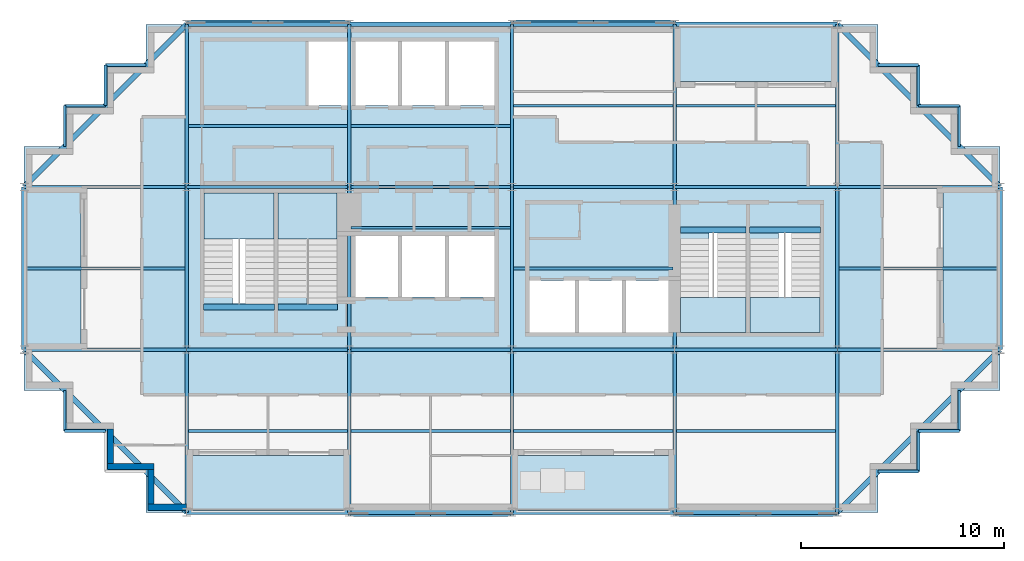
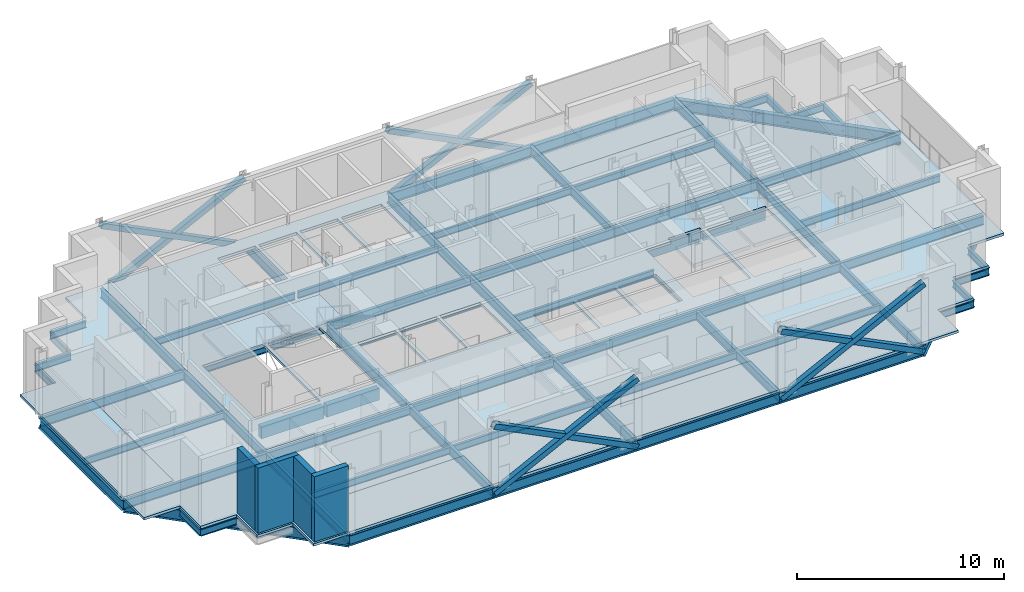
# One storey, part 3 of 10: 71 beams, 12 slabs, 8 members, 4 walls, 4 elements without a shape of their own.
"""IFC4 building model written with IfcOpenShell, lengths in metres."""

import ifcopenshell
import ifcopenshell.guid

model = None  # the IFC model being written
_history = None  # IfcOwnerHistory: only IFC2X3 demands one
_inside = {}  # id of a spatial element -> (the spatial element, [elements in it])
_under = {}  # id of a project, library or spatial element -> (it, [spatial elements below it])
_declared = {}  # id of a project -> (the project, [libraries it declares])
_typed = {}  # id of a type object -> (the type object, [elements of that type])
_made_of = {}  # id of a material, layer set ... -> (it, [elements and type objects made of it])


def new_model(schema):
    """Start an empty IFC model of exactly this schema.

    Asked for "IFC4X3", IfcOpenShell would pick the latest addendum, in which some entities
    have other attributes; the version numbers below select the first issue.
    IFC2X3 requires an IfcOwnerHistory on every rooted entity: one is made here for all.
    """
    global model, _history
    if schema == "IFC4X3":
        model = ifcopenshell.file(schema_version=(4, 3, 0, 0))
    else:
        model = ifcopenshell.file(schema=schema)
    _inside.clear()
    _under.clear()
    _declared.clear()
    _typed.clear()
    _made_of.clear()
    _history = None
    if model.schema == "IFC2X3":
        org = make("IfcOrganization", Name="unknown")
        user = make(
            "IfcPersonAndOrganization",
            ThePerson=make("IfcPerson", FamilyName="unknown"),
            TheOrganization=org,
        )
        app = make(
            "IfcApplication",
            ApplicationDeveloper=org,
            Version="unknown",
            ApplicationFullName="unknown",
            ApplicationIdentifier="unknown",
        )
        _history = make(
            "IfcOwnerHistory",
            OwningUser=user,
            OwningApplication=app,
            ChangeAction="ADDED",
            CreationDate=0,
        )
    return model


def make(cls, **values):
    """One entity of the class cls with the attributes given. An attribute that is None is left unset."""
    return model.create_entity(
        cls, **{name: value for name, value in values.items() if value is not None}
    )


def rooted(cls, **values):
    """An entity with a GlobalId (a new one), such as an element, a storey or a relation."""
    return make(cls, GlobalId=ifcopenshell.guid.new(), OwnerHistory=_history, **values)


def si_unit(unit_type, name, prefix=None):
    """IfcSIUnit, for example si_unit("LENGTHUNIT", "METRE", prefix="MILLI")."""
    return make("IfcSIUnit", UnitType=unit_type, Prefix=prefix, Name=name)


def assignment(units):
    """IfcUnitAssignment: the units of a project."""
    return None if units is None else make("IfcUnitAssignment", Units=units)


def point(xyz):
    """IfcCartesianPoint."""
    return None if xyz is None else make("IfcCartesianPoint", Coordinates=xyz)


def direction(xyz):
    """IfcDirection."""
    return None if xyz is None else make("IfcDirection", DirectionRatios=xyz)


def frame(location, z_axis=None, x_axis=None):
    """IfcAxis2Placement3D, a coordinate frame: its origin and axes. An axis left out is left unset."""
    return make(
        "IfcAxis2Placement3D",
        Location=point(location),
        Axis=direction(z_axis),
        RefDirection=direction(x_axis),
    )


def frame_2d(location, x_axis=None):
    """IfcAxis2Placement2D, a coordinate frame in the plane: its origin and x axis."""
    return make(
        "IfcAxis2Placement2D", Location=point(location), RefDirection=direction(x_axis)
    )


def origin():
    """The frame at (0, 0, 0) with its axes left unset."""
    return frame((0.0, 0.0, 0.0))


def origin_2d():
    """The frame at (0, 0) in the plane with its x axis left unset."""
    return frame_2d((0.0, 0.0))


def place(relative_to, where):
    """IfcLocalPlacement: puts the frame where relative to a parent placement (None: the world)."""
    return make(
        "IfcLocalPlacement", PlacementRelTo=relative_to, RelativePlacement=where
    )


def context(
    kind, dimensions, precision=None, world=None, true_north=None, identifier=None
):
    """IfcGeometricRepresentationContext, for example the 3D "Model" context."""
    return make(
        "IfcGeometricRepresentationContext",
        ContextIdentifier=identifier,
        ContextType=kind,
        CoordinateSpaceDimension=dimensions,
        Precision=precision,
        WorldCoordinateSystem=world,
        TrueNorth=true_north,
    )


def subcontext(parent, identifier, kind, view, scale=None):
    """IfcGeometricRepresentationSubContext, for example "Body" below "Model"."""
    return make(
        "IfcGeometricRepresentationSubContext",
        ContextIdentifier=identifier,
        ContextType=kind,
        ParentContext=parent,
        TargetScale=scale,
        TargetView=view,
    )


def project(units=None, contexts=None):
    """IfcProject with its units and contexts."""
    return rooted(
        "IfcProject",
        Name="project",
        RepresentationContexts=contexts,
        UnitsInContext=assignment(units),
    )


def spatial(cls, under=None, at=None, **own):
    """A site, building, storey or space (cls), placed at a placement, below another one or the project."""
    s = rooted(cls, ObjectPlacement=at, **own)
    if under is not None:
        _under.setdefault(under.id(), (under, []))[1].append(s)
    return s


def polyline(points):
    """IfcPolyline through the points."""
    return make("IfcPolyline", Points=[point(p) for p in points])


def profile(cls, at=None, kind="AREA", **sizes):
    """A parametric profile (cls). Its sizes go by their IFC names, for example OverallWidth=200.0."""
    return make(cls, ProfileType=kind, Position=at, **sizes)


def rectangle(**sizes):
    """IfcRectangleProfileDef."""
    return profile("IfcRectangleProfileDef", **sizes)


def hollow_rectangle(**sizes):
    """IfcRectangleHollowProfileDef."""
    return profile("IfcRectangleHollowProfileDef", **sizes)


def i_section(**sizes):
    """IfcIShapeProfileDef."""
    return profile("IfcIShapeProfileDef", **sizes)


def outline(outer, holes=None, kind="AREA"):
    """IfcArbitraryClosedProfileDef: a profile drawn as a closed curve; with holes, ...WithVoids."""
    if holes is None:
        return make("IfcArbitraryClosedProfileDef", ProfileType=kind, OuterCurve=outer)
    return make(
        "IfcArbitraryProfileDefWithVoids",
        ProfileType=kind,
        OuterCurve=outer,
        InnerCurves=holes,
    )


def extrude(swept, where, along, depth):
    """IfcExtrudedAreaSolid: the profile swept, set in the frame where, extruded along a direction by depth."""
    return make(
        "IfcExtrudedAreaSolid",
        SweptArea=swept,
        Position=where,
        ExtrudedDirection=direction(along),
        Depth=depth,
    )


def shape(context_of_items, identifier, shape_type, items):
    """IfcShapeRepresentation: the items that make up one representation, for example the "Body"."""
    return make(
        "IfcShapeRepresentation",
        ContextOfItems=context_of_items,
        RepresentationIdentifier=identifier,
        RepresentationType=shape_type,
        Items=items,
    )


def material(Name=None, Category=None):
    """IfcMaterial."""
    return make("IfcMaterial", Name=Name, Category=Category)


def layer(
    of_material, thickness, ventilated=None, Name=None, Category=None, Priority=None
):
    """IfcMaterialLayer: one layer of a wall or slab, of a material (None: an air gap)."""
    return make(
        "IfcMaterialLayer",
        Material=of_material,
        LayerThickness=thickness,
        IsVentilated=ventilated,
        Name=Name,
        Category=Category,
        Priority=Priority,
    )


def layer_set(layers, Name=None):
    """IfcMaterialLayerSet."""
    return make("IfcMaterialLayerSet", MaterialLayers=layers, LayerSetName=Name)


def material_profile(
    of_material, cross_section, Name=None, Category=None, Priority=None
):
    """IfcMaterialProfile: a cross section and its material."""
    return make(
        "IfcMaterialProfile",
        Name=Name,
        Material=of_material,
        Profile=cross_section,
        Priority=Priority,
        Category=Category,
    )


def profile_set(profiles, Name=None, composite=None):
    """IfcMaterialProfileSet."""
    return make(
        "IfcMaterialProfileSet",
        Name=Name,
        MaterialProfiles=profiles,
        CompositeProfile=composite,
    )


def made_of(thing, what):
    """Note that an element or type object is made of a material, layer set ...; save() writes the relation."""
    if what is not None:
        _made_of.setdefault(what.id(), (what, []))[1].append(thing)
    return thing


def type_object(cls, material=None, **own):
    """A type object (cls), such as IfcWallType, which elements share."""
    return made_of(rooted(cls, **own), material)


def element(
    cls,
    number,
    at=None,
    inside=None,
    cuts=None,
    type_object=None,
    material=None,
    context=None,
    identifier="Body",
    shape_type=None,
    held_by="IfcProductDefinitionShape",
    body=None,
    shapes=None,
    **own,
):
    """One element of the class cls, such as IfcWall. Its Tag is "e" and its number.

    at: its placement. inside: the storey or other place that contains it. cuts: it is an
    opening in that element (IfcRelVoidsElement). A single representation is given by context,
    identifier, shape_type and body (its items); several are given by shapes. held_by: the class
    of the entity that holds the representations. save() writes the other relations.
    """
    e = rooted(cls, Tag="e%d" % number, ObjectPlacement=at, **own)
    if body is not None:
        shapes = [shape(context, identifier, shape_type, body)]
    if shapes is not None:
        e.Representation = make(held_by, Representations=shapes)
    if inside is not None:
        _inside.setdefault(inside.id(), (inside, []))[1].append(e)
    if cuts is not None:
        rooted(
            "IfcRelVoidsElement", RelatingBuildingElement=cuts, RelatedOpeningElement=e
        )
    if type_object is not None:
        _typed.setdefault(type_object.id(), (type_object, []))[1].append(e)
    return made_of(e, material)


def aggregate(whole, parts):
    """IfcRelAggregates: a whole, such as a stair, and the parts it consists of."""
    return rooted("IfcRelAggregates", RelatingObject=whole, RelatedObjects=parts)


def save(model, path):
    """Write the relations noted so far, then the file.

    IfcRelAggregates (storeys below a building ...), IfcRelContainedInSpatialStructure (elements
    in a storey), IfcRelDefinesByType, IfcRelAssociatesMaterial and IfcRelDeclares: one each for
    every whole, place, type object, material and project.
    """
    for whole, parts in _under.values():
        aggregate(whole, parts)
    for where, things in _inside.values():
        rooted(
            "IfcRelContainedInSpatialStructure",
            RelatedElements=things,
            RelatingStructure=where,
        )
    for kind, things in _typed.values():
        rooted("IfcRelDefinesByType", RelatedObjects=things, RelatingType=kind)
    for what, things in _made_of.values():
        rooted("IfcRelAssociatesMaterial", RelatedObjects=things, RelatingMaterial=what)
    for by, libraries in _declared.values():
        rooted("IfcRelDeclares", RelatingContext=by, RelatedDefinitions=libraries)
    model.write(path)


model = new_model("IFC4")

# Units and contexts
model_context = context("Model", 3, precision=1e-05, world=origin(), true_north=direction((0.0, 1.0)))
body_context = subcontext(model_context, "Body", "Model", "MODEL_VIEW")
ifc_project = project(units=[si_unit("LENGTHUNIT", "METRE"), si_unit("AREAUNIT", "SQUARE_METRE"), si_unit("VOLUMEUNIT", "CUBIC_METRE"), si_unit("PLANEANGLEUNIT", "RADIAN"), si_unit("MASSUNIT", "GRAM", prefix="KILO")], contexts=[model_context])

# Site, building, storey
site_placement = place(None, origin())
site = spatial("IfcSite", under=ifc_project, at=site_placement, CompositionType="ELEMENT")
building_placement = place(site_placement, origin())
building = spatial("IfcBuilding", under=site, at=building_placement, Name="Immortelle Media Tower", CompositionType="ELEMENT")
storey_placement = place(building_placement, frame((0.0, 0.0, 233.0)))
storey = spatial("IfcBuildingStorey", under=building, at=storey_placement, Name="L50", CompositionType="ELEMENT", Elevation=233.0)

# Members
ifc_material_1 = material(Name="Steel ASTM A500 Gr C", Category="steel")
ifc_material_profile_1 = material_profile(ifc_material_1, hollow_rectangle(XDim=0.304931640625, YDim=0.304931640625, WallThickness=0.011962890625, at=origin_2d()), Name="HSS12x12x1/2 brace")
ifc_profile_set_1 = profile_set([ifc_material_profile_1], Name="Steel ASTM A500 Gr C")
member_type = type_object("IfcMemberType", Name="HSS12x12x1/2 brace", PredefinedType="BRACE", material=ifc_profile_set_1)
for number, where, z_axis, x_axis, name in (
    (1, (16.0, -0.0625, -0.4560546875), (0.894427191, 0.0, 0.4472135955), (0.0, 1.0, 0.0), "Brace A/3-4 A"),
    (2, (16.0, -0.0625, 3.5439453125), (0.894427191, 0.0, -0.4472135955), (0.0, 1.0, 0.0), "Brace A/3-4 B"),
    (3, (32.0, -0.0625, -0.4560546875), (0.894427191, 0.0, 0.4472135955), (0.0, 1.0, 0.0), "Brace A/5-6 A"),
    (4, (32.0, -0.0625, 3.5439453125), (0.894427191, 0.0, -0.4472135955), (0.0, 1.0, 0.0), "Brace A/5-6 B"),
    (5, (32.0, 24.0625, -0.4560546875), (-0.894427191, 0.0, 0.4472135955), (0.0, -1.0, 0.0), "Brace D/4-5 A"),
    (6, (32.0, 24.0625, 3.5439453125), (-0.894427191, 0.0, -0.4472135955), (0.0, -1.0, 0.0), "Brace D/4-5 B"),
    (7, (16.0, 24.0625, -0.4560546875), (-0.894427191, 0.0, 0.4472135955), (0.0, -1.0, 0.0), "Brace D/2-3 A"),
    (8, (16.0, 24.0625, 3.5439453125), (-0.894427191, 0.0, -0.4472135955), (0.0, -1.0, 0.0), "Brace D/2-3 B"),
):
    element("IfcMember", number, at=place(storey_placement, frame(where, z_axis=z_axis, x_axis=x_axis)), inside=storey, type_object=member_type, Name=name, PredefinedType="BRACE", context=body_context, shape_type="SweptSolid", body=[
        extrude(hollow_rectangle(XDim=0.304931640625, YDim=0.304931640625, WallThickness=0.011962890625, at=origin_2d()), origin(), (0.0, 0.0, 1.0), 8.9443359375),
    ])

# Beams
ifc_material_2 = material(Name="Concrete C50/60", Category="concrete")
ifc_material_profile_2 = material_profile(ifc_material_2, rectangle(XDim=0.300048828125, YDim=0.699951171875, at=origin_2d()), Name="RC 300x700")
ifc_profile_set_2 = profile_set([ifc_material_profile_2], Name="Concrete C50/60")
beam_type_1 = type_object("IfcBeamType", Name="Stair trimmer beam 300 x 700", PredefinedType="BEAM", material=ifc_profile_set_2)
beam_1_placement = place(storey_placement, frame((8.830078125, 10.10498046875, -0.5), z_axis=(1.0, 0.0, 0.0), x_axis=(0.0, 1.0, 0.0)))
element("IfcBeam", 9, at=beam_1_placement, inside=storey, type_object=beam_type_1, Name="Stair trimmer beam SW1", PredefinedType="BEAM", context=body_context, shape_type="SweptSolid", body=[
    extrude(rectangle(XDim=0.300048828125, YDim=0.699951171875, at=origin_2d()), origin(), (0.0, 0.0, 1.0), 3.489990234375),
])
beam_2_placement = place(storey_placement, frame((12.47998046875, 10.10498046875, -0.5), z_axis=(1.0, 0.0, 0.0), x_axis=(0.0, 1.0, 0.0)))
element("IfcBeam", 10, at=beam_2_placement, inside=storey, type_object=beam_type_1, Name="Stair trimmer beam SW2", PredefinedType="BEAM", context=body_context, shape_type="SweptSolid", body=[
    extrude(rectangle(XDim=0.300048828125, YDim=0.699951171875, at=origin_2d()), origin(), (0.0, 0.0, 1.0), 2.93994140625),
])
beam_3_placement = place(storey_placement, frame((32.280029296875, 13.89501953125, -0.5), z_axis=(1.0, 0.0, 0.0), x_axis=(0.0, 1.0, 0.0)))
element("IfcBeam", 11, at=beam_3_placement, inside=storey, type_object=beam_type_1, Name="Stair trimmer beam SE1", PredefinedType="BEAM", context=body_context, shape_type="SweptSolid", body=[
    extrude(rectangle(XDim=0.300048828125, YDim=0.699951171875, at=origin_2d()), origin(), (0.0, 0.0, 1.0), 3.239990234375),
])
beam_4_placement = place(storey_placement, frame((35.679931640625, 13.89501953125, -0.5), z_axis=(1.0, 0.0, 0.0), x_axis=(0.0, 1.0, 0.0)))
element("IfcBeam", 12, at=beam_4_placement, inside=storey, type_object=beam_type_1, Name="Stair trimmer beam SE2", PredefinedType="BEAM", context=body_context, shape_type="SweptSolid", body=[
    extrude(rectangle(XDim=0.300048828125, YDim=0.699951171875, at=origin_2d()), origin(), (0.0, 0.0, 1.0), 3.489990234375),
])
ifc_material_3 = material(Name="Steel ASTM A992 Gr 50", Category="steel")
ifc_material_profile_3 = material_profile(ifc_material_3, i_section(OverallWidth=0.139892578125, OverallDepth=0.404052734375, WebThickness=0.007080078125, FlangeThickness=0.010986328125, at=origin_2d()), Name="W16x31")
ifc_profile_set_3 = profile_set([ifc_material_profile_3], Name="Steel ASTM A992 Gr 50")
beam_type_2 = type_object("IfcBeamType", Name="W16x31 secondary beam", PredefinedType="JOIST", material=ifc_profile_set_3)
for number, where, z_axis, x_axis, name in (
    (13, (8.08349609375, 4.0, -0.35205078125), (1.0, 0.0, 0.0), (0.0, 1.0, 0.0), "Beam A-B/2-3"),
    (14, (16.08349609375, 4.0, -0.35205078125), (1.0, 0.0, 0.0), (0.0, 1.0, 0.0), "Beam A-B/3-4"),
    (15, (24.08349609375, 4.0, -0.35205078125), (1.0, 0.0, 0.0), (0.0, 1.0, 0.0), "Beam A-B/4-5"),
    (16, (32.08349609375, 4.0, -0.35205078125), (1.0, 0.0, 0.0), (0.0, 1.0, 0.0), "Beam A-B/5-6"),
):
    element("IfcBeam", number, at=place(storey_placement, frame(where, z_axis=z_axis, x_axis=x_axis)), inside=storey, type_object=beam_type_2, Name=name, PredefinedType="JOIST", context=body_context, shape_type="SweptSolid", body=[
        extrude(i_section(OverallWidth=0.139892578125, OverallDepth=0.404052734375, WebThickness=0.007080078125, FlangeThickness=0.010986328125, at=origin_2d()), origin(), (0.0, 0.0, 1.0), 7.8330078125),
    ])
beam_5_placement = place(storey_placement, frame((0.114501953125, 12.0, -0.35205078125), z_axis=(1.0, 0.0, 0.0), x_axis=(0.0, 1.0, 0.0)))
element("IfcBeam", 17, at=beam_5_placement, inside=storey, type_object=beam_type_2, Name="Beam B-C/1-2", PredefinedType="JOIST", context=body_context, shape_type="SweptSolid", body=[
    extrude(i_section(OverallWidth=0.139892578125, OverallDepth=0.404052734375, WebThickness=0.007080078125, FlangeThickness=0.010986328125, at=origin_2d()), origin(), (0.0, 0.0, 1.0), 7.802001953125),
])
for number, where, z_axis, x_axis, name in (
    (18, (16.08349609375, 14.0, -0.35205078125), (1.0, 0.0, 0.0), (0.0, 1.0, 0.0), "Beam B-C/3-4"),
    (19, (24.08349609375, 12.0, -0.35205078125), (1.0, 0.0, 0.0), (0.0, 1.0, 0.0), "Beam B-C/4-5"),
):
    element("IfcBeam", number, at=place(storey_placement, frame(where, z_axis=z_axis, x_axis=x_axis)), inside=storey, type_object=beam_type_2, Name=name, PredefinedType="JOIST", context=body_context, shape_type="SweptSolid", body=[
        extrude(i_section(OverallWidth=0.139892578125, OverallDepth=0.404052734375, WebThickness=0.007080078125, FlangeThickness=0.010986328125, at=origin_2d()), origin(), (0.0, 0.0, 1.0), 7.8330078125),
    ])
beam_6_placement = place(storey_placement, frame((40.08349609375, 12.0, -0.35205078125), z_axis=(1.0, 0.0, 0.0), x_axis=(0.0, 1.0, 0.0)))
element("IfcBeam", 20, at=beam_6_placement, inside=storey, type_object=beam_type_2, Name="Beam B-C/6-7", PredefinedType="JOIST", context=body_context, shape_type="SweptSolid", body=[
    extrude(i_section(OverallWidth=0.139892578125, OverallDepth=0.404052734375, WebThickness=0.007080078125, FlangeThickness=0.010986328125, at=origin_2d()), origin(), (0.0, 0.0, 1.0), 7.802001953125),
])
for number, where, z_axis, x_axis, name in (
    (21, (8.08349609375, 19.0, -0.35205078125), (1.0, 0.0, 0.0), (0.0, 1.0, 0.0), "Beam C-D/2-3"),
    (22, (16.08349609375, 19.0, -0.35205078125), (1.0, 0.0, 0.0), (0.0, 1.0, 0.0), "Beam C-D/3-4"),
    (23, (24.08349609375, 20.0, -0.35205078125), (1.0, 0.0, 0.0), (0.0, 1.0, 0.0), "Beam C-D/4-5"),
    (24, (32.08349609375, 20.0, -0.35205078125), (1.0, 0.0, 0.0), (0.0, 1.0, 0.0), "Beam C-D/5-6"),
):
    element("IfcBeam", number, at=place(storey_placement, frame(where, z_axis=z_axis, x_axis=x_axis)), inside=storey, type_object=beam_type_2, Name=name, PredefinedType="JOIST", context=body_context, shape_type="SweptSolid", body=[
        extrude(i_section(OverallWidth=0.139892578125, OverallDepth=0.404052734375, WebThickness=0.007080078125, FlangeThickness=0.010986328125, at=origin_2d()), origin(), (0.0, 0.0, 1.0), 7.8330078125),
    ])
ifc_material_profile_4 = material_profile(ifc_material_3, i_section(OverallWidth=0.139892578125, OverallDepth=0.404052734375, WebThickness=0.007080078125, FlangeThickness=0.010986328125, at=origin_2d()), Name="W16x31")
ifc_profile_set_4 = profile_set([ifc_material_profile_4], Name="Steel ASTM A992 Gr 50")
beam_type_3 = type_object("IfcBeamType", Name="W16x31 serration edge beam", PredefinedType="SPANDREL", material=ifc_profile_set_4)
for number, where, z_axis, x_axis, name in (
    (25, (4.0, 4.0, -0.35205078125), (-1.0, 0.0, 0.0), (0.0, -1.0, 0.0), "Corner edge beam 3 at 1/A"),
    (26, (2.0, 4.0, -0.35205078125), (0.0, 1.0, 0.0), (-1.0, 0.0, 0.0), "Corner edge beam 4 at 1/A"),
    (27, (2.0, 18.0, -0.35205078125), (0.0, 1.0, 0.0), (-1.0, 0.0, 0.0), "Corner edge beam 1 at 1/D"),
    (28, (2.0, 20.0, -0.35205078125), (1.0, 0.0, 0.0), (0.0, 1.0, 0.0), "Corner edge beam 2 at 1/D"),
    (29, (4.0, 20.0, -0.35205078125), (0.0, 1.0, 0.0), (-1.0, 0.0, 0.0), "Corner edge beam 3 at 1/D"),
    (30, (4.0, 22.0, -0.35205078125), (1.0, 0.0, 0.0), (0.0, 1.0, 0.0), "Corner edge beam 4 at 1/D"),
    (31, (46.0, 6.0, -0.35205078125), (0.0, -1.0, 0.0), (1.0, 0.0, 0.0), "Corner edge beam 1 at 7/A"),
    (32, (46.0, 4.0, -0.35205078125), (-1.0, 0.0, 0.0), (0.0, -1.0, 0.0), "Corner edge beam 2 at 7/A"),
    (33, (44.0, 4.0, -0.35205078125), (0.0, -1.0, 0.0), (1.0, 0.0, 0.0), "Corner edge beam 3 at 7/A"),
    (34, (44.0, 2.0, -0.35205078125), (-1.0, 0.0, 0.0), (0.0, -1.0, 0.0), "Corner edge beam 4 at 7/A"),
    (35, (42.0, 22.0, -0.35205078125), (1.0, 0.0, 0.0), (0.0, 1.0, 0.0), "Corner edge beam 1 at 7/D"),
    (36, (44.0, 22.0, -0.35205078125), (0.0, -1.0, 0.0), (1.0, 0.0, 0.0), "Corner edge beam 2 at 7/D"),
    (37, (44.0, 20.0, -0.35205078125), (1.0, 0.0, 0.0), (0.0, 1.0, 0.0), "Corner edge beam 3 at 7/D"),
    (38, (46.0, 20.0, -0.35205078125), (0.0, -1.0, 0.0), (1.0, 0.0, 0.0), "Corner edge beam 4 at 7/D"),
):
    element("IfcBeam", number, at=place(storey_placement, frame(where, z_axis=z_axis, x_axis=x_axis)), inside=storey, type_object=beam_type_3, Name=name, PredefinedType="SPANDREL", context=body_context, shape_type="SweptSolid", body=[
        extrude(i_section(OverallWidth=0.139892578125, OverallDepth=0.404052734375, WebThickness=0.007080078125, FlangeThickness=0.010986328125, at=origin_2d()), origin(), (0.0, 0.0, 1.0), 2.0),
    ])
ifc_material_profile_5 = material_profile(ifc_material_3, i_section(OverallWidth=0.1669921875, OverallDepth=0.535888671875, WebThickness=0.010009765625, FlangeThickness=0.01708984375, at=origin_2d()), Name="W21x57")
ifc_profile_set_5 = profile_set([ifc_material_profile_5], Name="Steel ASTM A992 Gr 50")
beam_type_4 = type_object("IfcBeamType", Name="W21x57 girder", PredefinedType="BEAM", material=ifc_profile_set_5)
for number, where, z_axis, x_axis, name in (
    (39, (0.0, 8.0, -0.41796875), (1.0, 0.0, 0.0), (0.0, 1.0, 0.0), "Girder B/1-2"),
    (40, (0.0, 16.0, -0.41796875), (1.0, 0.0, 0.0), (0.0, 1.0, 0.0), "Girder C/1-2"),
    (41, (8.0, 0.0, -0.41796875), (0.0, 1.0, 0.0), (-1.0, 0.0, 0.0), "Girder 2/A-B"),
    (42, (8.0, 8.0, -0.41796875), (1.0, 0.0, 0.0), (0.0, 1.0, 0.0), "Girder B/2-3"),
    (43, (8.0, 8.0, -0.41796875), (0.0, 1.0, 0.0), (-1.0, 0.0, 0.0), "Girder 2/B-C"),
    (44, (8.0, 16.0, -0.41796875), (1.0, 0.0, 0.0), (0.0, 1.0, 0.0), "Girder C/2-3"),
    (45, (8.0, 16.0, -0.41796875), (0.0, 1.0, 0.0), (-1.0, 0.0, 0.0), "Girder 2/C-D"),
    (46, (16.0, 0.0, -0.41796875), (0.0, 1.0, 0.0), (-1.0, 0.0, 0.0), "Girder 3/A-B"),
    (47, (16.0, 8.0, -0.41796875), (1.0, 0.0, 0.0), (0.0, 1.0, 0.0), "Girder B/3-4"),
    (48, (16.0, 8.0, -0.41796875), (0.0, 1.0, 0.0), (-1.0, 0.0, 0.0), "Girder 3/B-C"),
    (49, (16.0, 16.0, -0.41796875), (1.0, 0.0, 0.0), (0.0, 1.0, 0.0), "Girder C/3-4"),
    (50, (16.0, 16.0, -0.41796875), (0.0, 1.0, 0.0), (-1.0, 0.0, 0.0), "Girder 3/C-D"),
    (51, (24.0, 0.0, -0.41796875), (0.0, 1.0, 0.0), (-1.0, 0.0, 0.0), "Girder 4/A-B"),
    (52, (24.0, 8.0, -0.41796875), (1.0, 0.0, 0.0), (0.0, 1.0, 0.0), "Girder B/4-5"),
    (53, (24.0, 8.0, -0.41796875), (0.0, 1.0, 0.0), (-1.0, 0.0, 0.0), "Girder 4/B-C"),
    (54, (24.0, 16.0, -0.41796875), (1.0, 0.0, 0.0), (0.0, 1.0, 0.0), "Girder C/4-5"),
    (55, (24.0, 16.0, -0.41796875), (0.0, 1.0, 0.0), (-1.0, 0.0, 0.0), "Girder 4/C-D"),
    (56, (32.0, 0.0, -0.41796875), (0.0, 1.0, 0.0), (-1.0, 0.0, 0.0), "Girder 5/A-B"),
    (57, (32.0, 8.0, -0.41796875), (1.0, 0.0, 0.0), (0.0, 1.0, 0.0), "Girder B/5-6"),
    (58, (32.0, 8.0, -0.41796875), (0.0, 1.0, 0.0), (-1.0, 0.0, 0.0), "Girder 5/B-C"),
    (59, (32.0, 16.0, -0.41796875), (1.0, 0.0, 0.0), (0.0, 1.0, 0.0), "Girder C/5-6"),
    (60, (32.0, 16.0, -0.41796875), (0.0, 1.0, 0.0), (-1.0, 0.0, 0.0), "Girder 5/C-D"),
    (61, (40.0, 0.0, -0.41796875), (0.0, 1.0, 0.0), (-1.0, 0.0, 0.0), "Girder 6/A-B"),
    (62, (40.0, 8.0, -0.41796875), (1.0, 0.0, 0.0), (0.0, 1.0, 0.0), "Girder B/6-7"),
    (63, (40.0, 8.0, -0.41796875), (0.0, 1.0, 0.0), (-1.0, 0.0, 0.0), "Girder 6/B-C"),
    (64, (40.0, 16.0, -0.41796875), (1.0, 0.0, 0.0), (0.0, 1.0, 0.0), "Girder C/6-7"),
    (65, (40.0, 16.0, -0.41796875), (0.0, 1.0, 0.0), (-1.0, 0.0, 0.0), "Girder 6/C-D"),
):
    element("IfcBeam", number, at=place(storey_placement, frame(where, z_axis=z_axis, x_axis=x_axis)), inside=storey, type_object=beam_type_4, Name=name, PredefinedType="BEAM", context=body_context, shape_type="SweptSolid", body=[
        extrude(i_section(OverallWidth=0.1669921875, OverallDepth=0.535888671875, WebThickness=0.010009765625, FlangeThickness=0.01708984375, at=origin_2d()), origin(), (0.0, 0.0, 1.0), 8.0),
    ])
ifc_material_profile_6 = material_profile(ifc_material_3, i_section(OverallWidth=0.22900390625, OverallDepth=0.612060546875, WebThickness=0.011962890625, FlangeThickness=0.02001953125, at=origin_2d()), Name="W24x84")
ifc_profile_set_6 = profile_set([ifc_material_profile_6], Name="Steel ASTM A992 Gr 50")
beam_type_5 = type_object("IfcBeamType", Name="W24x84 perimeter girder", PredefinedType="SPANDREL", material=ifc_profile_set_6)
for number, where, z_axis, x_axis, name in (
    (66, (0.0, 8.0, -0.4560546875), (0.0, 1.0, 0.0), (-1.0, 0.0, 0.0), "Girder 1/B-C"),
    (67, (8.0, 0.0, -0.4560546875), (1.0, 0.0, 0.0), (0.0, 1.0, 0.0), "Girder A/2-3"),
    (68, (8.0, 24.0, -0.4560546875), (1.0, 0.0, 0.0), (0.0, 1.0, 0.0), "Girder D/2-3"),
    (69, (16.0, 0.0, -0.4560546875), (1.0, 0.0, 0.0), (0.0, 1.0, 0.0), "Girder A/3-4"),
    (70, (16.0, 24.0, -0.4560546875), (1.0, 0.0, 0.0), (0.0, 1.0, 0.0), "Girder D/3-4"),
    (71, (24.0, 0.0, -0.4560546875), (1.0, 0.0, 0.0), (0.0, 1.0, 0.0), "Girder A/4-5"),
    (72, (24.0, 24.0, -0.4560546875), (1.0, 0.0, 0.0), (0.0, 1.0, 0.0), "Girder D/4-5"),
    (73, (32.0, 0.0, -0.4560546875), (1.0, 0.0, 0.0), (0.0, 1.0, 0.0), "Girder A/5-6"),
    (74, (32.0, 24.0, -0.4560546875), (1.0, 0.0, 0.0), (0.0, 1.0, 0.0), "Girder D/5-6"),
    (75, (48.0, 8.0, -0.4560546875), (0.0, 1.0, 0.0), (-1.0, 0.0, 0.0), "Girder 7/B-C"),
):
    element("IfcBeam", number, at=place(storey_placement, frame(where, z_axis=z_axis, x_axis=x_axis)), inside=storey, type_object=beam_type_5, Name=name, PredefinedType="SPANDREL", context=body_context, shape_type="SweptSolid", body=[
        extrude(i_section(OverallWidth=0.22900390625, OverallDepth=0.612060546875, WebThickness=0.011962890625, FlangeThickness=0.02001953125, at=origin_2d()), origin(), (0.0, 0.0, 1.0), 8.0),
    ])
ifc_material_profile_7 = material_profile(ifc_material_3, i_section(OverallWidth=0.2529296875, OverallDepth=0.677978515625, WebThickness=0.011962890625, FlangeThickness=0.01611328125, at=origin_2d()), Name="W27x84")
ifc_profile_set_7 = profile_set([ifc_material_profile_7], Name="Steel ASTM A992 Gr 50")
beam_type_6 = type_object("IfcBeamType", Name="W27x84 corner girder", PredefinedType="SPANDREL", material=ifc_profile_set_7)
for number, where, z_axis, x_axis, name in (
    (76, (8.0, 0.0, -0.489013671875), (-0.707106781187, 0.707106781187, 0.0), (-0.707106781187, -0.707106781187, 0.0), "Corner girder at 1/A"),
    (77, (0.0, 16.0, -0.489013671875), (0.707106781187, 0.707106781187, 0.0), (-0.707106781187, 0.707106781187, 0.0), "Corner girder at 1/D"),
    (78, (48.0, 8.0, -0.489013671875), (-0.707106781187, -0.707106781187, 0.0), (0.707106781187, -0.707106781187, 0.0), "Corner girder at 7/A"),
    (79, (40.0, 24.0, -0.489013671875), (0.707106781187, -0.707106781187, 0.0), (0.707106781187, 0.707106781187, 0.0), "Corner girder at 7/D"),
):
    element("IfcBeam", number, at=place(storey_placement, frame(where, z_axis=z_axis, x_axis=x_axis)), inside=storey, type_object=beam_type_6, Name=name, PredefinedType="SPANDREL", context=body_context, shape_type="SweptSolid", body=[
        extrude(i_section(OverallWidth=0.2529296875, OverallDepth=0.677978515625, WebThickness=0.011962890625, FlangeThickness=0.01611328125, at=origin_2d()), origin(), (0.0, 0.0, 1.0), 11.313720703125),
    ])

# Slabs
ifc_material_4 = material(Name="Concrete C50/60 composite deck", Category="concrete")
ifc_layer_1 = layer(ifc_material_4, 0.14990234375)
ifc_layer_set_1 = layer_set([ifc_layer_1], Name="Concrete C50/60 composite deck")
slab_type_1 = type_object("IfcSlabType", Name="Balcony slab 150", PredefinedType="FLOOR", material=ifc_layer_set_1)
slab_1_placement = place(storey_placement, frame((0.0, 0.0, -0.14990234375)))
element("IfcSlab", 80, at=slab_1_placement, inside=storey, type_object=slab_type_1, Name="Balcony slab L50 S0", PredefinedType="FLOOR", context=body_context, shape_type="SweptSolid", body=[
    extrude(outline(polyline([(16.0, 0.0), (16.0, 2.800048828125), (8.0, 2.800048828125), (8.0, 0.0), (16.0, 0.0)])), origin(), (0.0, 0.0, 1.0), 0.14990234375),
])
slab_2_placement = place(storey_placement, frame((0.0, 0.0, -0.14990234375)))
element("IfcSlab", 81, at=slab_2_placement, inside=storey, type_object=slab_type_1, Name="Balcony slab L50 S2", PredefinedType="FLOOR", context=body_context, shape_type="SweptSolid", body=[
    extrude(outline(polyline([(32.0, 0.0), (32.0, 2.800048828125), (24.0, 2.800048828125), (24.0, 0.0), (32.0, 0.0)])), origin(), (0.0, 0.0, 1.0), 0.14990234375),
])
slab_3_placement = place(storey_placement, frame((0.0, 0.0, -0.14990234375)))
element("IfcSlab", 82, at=slab_3_placement, inside=storey, type_object=slab_type_1, Name="Balcony slab L50 E0", PredefinedType="FLOOR", context=body_context, shape_type="SweptSolid", body=[
    extrude(outline(polyline([(48.0, 8.0), (48.0, 16.0), (45.199951171875, 16.0), (45.199951171875, 8.0), (48.0, 8.0)])), origin(), (0.0, 0.0, 1.0), 0.14990234375),
])
slab_4_placement = place(storey_placement, frame((0.0, 0.0, -0.14990234375)))
element("IfcSlab", 83, at=slab_4_placement, inside=storey, type_object=slab_type_1, Name="Balcony slab L50 N0", PredefinedType="FLOOR", context=body_context, shape_type="SweptSolid", body=[
    extrude(outline(polyline([(40.0, 21.199951171875), (40.0, 24.0), (32.0, 24.0), (32.0, 21.199951171875), (40.0, 21.199951171875)])), origin(), (0.0, 0.0, 1.0), 0.14990234375),
])
slab_5_placement = place(storey_placement, frame((0.0, 0.0, -0.14990234375)))
element("IfcSlab", 84, at=slab_5_placement, inside=storey, type_object=slab_type_1, Name="Balcony slab L50 W0", PredefinedType="FLOOR", context=body_context, shape_type="SweptSolid", body=[
    extrude(outline(polyline([(2.800048828125, 8.0), (2.800048828125, 16.0), (0.0, 16.0), (0.0, 8.0), (2.800048828125, 8.0)])), origin(), (0.0, 0.0, 1.0), 0.14990234375),
])
ifc_layer_2 = layer(ifc_material_2, 0.14990234375)
ifc_layer_set_2 = layer_set([ifc_layer_2], Name="Concrete C50/60")
slab_type_2 = type_object("IfcSlabType", Name="Composite floor slab 150", PredefinedType="FLOOR", material=ifc_layer_set_2)
slab_6_placement = place(storey_placement, frame((0.0, 0.0, -0.14990234375)))
element("IfcSlab", 85, at=slab_6_placement, inside=storey, type_object=slab_type_2, Name="Floor slab L50", PredefinedType="FLOOR", context=body_context, shape_type="SweptSolid", body=[
    extrude(outline(polyline([(6.0, 0.0), (6.0, 2.0), (4.0, 2.0), (4.0, 4.0), (2.0, 4.0), (2.0, 6.0), (0.0, 6.0), (0.0, 8.0), (2.800048828125, 8.0), (2.800048828125, 16.0), (0.0, 16.0), (0.0, 18.0), (2.0, 18.0), (2.0, 20.0), (4.0, 20.0), (4.0, 22.0), (6.0, 22.0), (6.0, 24.0), (8.0, 24.0), (8.0, 8.0), (24.0, 8.0), (40.0, 8.0), (40.0, 16.0), (24.0, 16.0), (24.0, 21.199951171875), (24.0, 24.0), (32.0, 24.0), (32.0, 21.199951171875), (40.0, 21.199951171875), (40.0, 24.0), (42.0, 24.0), (42.0, 22.0), (44.0, 22.0), (44.0, 20.0), (46.0, 20.0), (46.0, 18.0), (48.0, 18.0), (48.0, 16.0), (45.199951171875, 16.0), (45.199951171875, 8.0), (48.0, 8.0), (48.0, 6.0), (46.0, 6.0), (46.0, 4.0), (44.0, 4.0), (44.0, 2.0), (42.0, 2.0), (42.0, 0.0), (32.0, 0.0), (32.0, 2.800048828125), (24.0, 2.800048828125), (24.0, 0.0), (16.0, 0.0), (16.0, 2.800048828125), (8.0, 2.800048828125), (8.0, 0.0), (6.0, 0.0)])), origin(), (0.0, 0.0, 1.0), 0.14990234375),
])
ifc_layer_3 = layer(ifc_material_2, 0.14990234375)
ifc_layer_set_3 = layer_set([ifc_layer_3], Name="Concrete C50/60")
slab_type_3 = type_object("IfcSlabType", Name="Core floor slab 150", PredefinedType="FLOOR", material=ifc_layer_set_3)
slab_7_placement = place(storey_placement, frame((0.0, 0.0, -0.14990234375)))
element("IfcSlab", 86, at=slab_7_placement, inside=storey, type_object=slab_type_3, Name="Core floor SW", PredefinedType="FLOOR", context=body_context, shape_type="SweptSolid", body=[
    extrude(outline(polyline([(8.0, 8.0), (24.0, 8.0), (24.0, 24.0), (8.0, 24.0), (8.0, 8.0)]), holes=[polyline([(14.0, 20.0), (16.10009765625, 20.0), (16.10009765625, 23.14990234375), (14.0, 23.14990234375), (14.0, 20.0)]), polyline([(16.300048828125, 20.0), (18.39990234375, 20.0), (18.39990234375, 23.14990234375), (16.300048828125, 23.14990234375), (16.300048828125, 20.0)]), polyline([(18.60009765625, 20.0), (20.699951171875, 20.0), (20.699951171875, 23.14990234375), (18.60009765625, 23.14990234375), (18.60009765625, 20.0)]), polyline([(20.89990234375, 20.0), (23.14990234375, 20.0), (23.14990234375, 23.14990234375), (20.89990234375, 23.14990234375), (20.89990234375, 20.0)]), polyline([(16.300048828125, 10.60009765625), (18.39990234375, 10.60009765625), (18.39990234375, 13.60009765625), (16.300048828125, 13.60009765625), (16.300048828125, 10.60009765625)]), polyline([(18.60009765625, 10.60009765625), (20.699951171875, 10.60009765625), (20.699951171875, 13.60009765625), (18.60009765625, 13.60009765625), (18.60009765625, 10.60009765625)]), polyline([(20.89990234375, 10.60009765625), (23.14990234375, 10.60009765625), (23.14990234375, 13.60009765625), (20.89990234375, 13.60009765625), (20.89990234375, 10.60009765625)]), polyline([(8.85009765625, 15.699951171875), (12.300048828125, 15.699951171875), (12.300048828125, 10.27001953125), (10.25, 10.27001953125), (10.25, 10.56005859375), (8.85009765625, 10.56005859375), (8.85009765625, 15.699951171875)]), polyline([(12.5, 15.699951171875), (15.39990234375, 15.699951171875), (15.39990234375, 10.27001953125), (13.89990234375, 10.27001953125), (13.89990234375, 10.56005859375), (12.5, 10.56005859375), (12.5, 15.699951171875)])]), origin(), (0.0, 0.0, 1.0), 0.14990234375),
])
slab_8_placement = place(storey_placement, frame((0.0, 0.0, -0.14990234375)))
element("IfcSlab", 87, at=slab_8_placement, inside=storey, type_object=slab_type_3, Name="Core floor SE", PredefinedType="FLOOR", context=body_context, shape_type="SweptSolid", body=[
    extrude(outline(polyline([(24.0, 8.0), (40.0, 8.0), (40.0, 16.0), (24.0, 16.0), (24.0, 8.0)]), holes=[polyline([(24.85009765625, 8.85009765625), (27.10009765625, 8.85009765625), (27.10009765625, 11.39990234375), (24.85009765625, 11.39990234375), (24.85009765625, 8.85009765625)]), polyline([(27.300048828125, 8.85009765625), (29.39990234375, 8.85009765625), (29.39990234375, 11.39990234375), (27.300048828125, 11.39990234375), (27.300048828125, 8.85009765625)]), polyline([(29.60009765625, 8.85009765625), (31.699951171875, 8.85009765625), (31.699951171875, 11.39990234375), (29.60009765625, 11.39990234375), (29.60009765625, 8.85009765625)]), polyline([(35.5, 13.72998046875), (35.5, 8.85009765625), (32.300048828125, 8.85009765625), (32.300048828125, 13.43994140625), (33.699951171875, 13.43994140625), (33.699951171875, 13.72998046875), (35.5, 13.72998046875)]), polyline([(39.14990234375, 13.72998046875), (39.14990234375, 8.85009765625), (35.699951171875, 8.85009765625), (35.699951171875, 13.43994140625), (37.10009765625, 13.43994140625), (37.10009765625, 13.72998046875), (39.14990234375, 13.72998046875)])]), origin(), (0.0, 0.0, 1.0), 0.14990234375),
])

# Stair, slab
stair_type = type_object("IfcStairType", Name="Stair with flights", PredefinedType="DOUBLE_RETURN_STAIR", material=ifc_material_3)
stair_1_placement = place(storey_placement, origin())
stair_1 = element("IfcStair", 88, at=stair_1_placement, inside=storey, type_object=stair_type, Name="Exit stair SW1", PredefinedType="DOUBLE_RETURN_STAIR")
ifc_material_5 = material(Name="Steel ASTM A572 Gr 50", Category="steel")
ifc_layer_4 = layer(ifc_material_5, 0.199951171875)
ifc_layer_set_4 = layer_set([ifc_layer_4], Name="Steel ASTM A572 Gr 50")
slab_type_4 = type_object("IfcSlabType", Name="Stair landing 200", PredefinedType="LANDING", material=ifc_layer_set_4)
slab_9_placement = place(storey_placement, frame((0.0, 0.0, 1.713134765625)))
slab_9 = element("IfcSlab", 89, at=slab_9_placement, type_object=slab_type_4, Name="ST SW1 landing 1", PredefinedType="LANDING", context=body_context, shape_type="SweptSolid", body=[
    extrude(outline(polyline([(8.85009765625, 13.43994140625), (12.300048828125, 13.43994140625), (12.300048828125, 15.699951171875), (8.85009765625, 15.699951171875), (8.85009765625, 13.43994140625)])), origin(), (0.0, 0.0, 1.0), 0.199951171875),
])
aggregate(stair_1, [slab_9])

stair_2_placement = place(storey_placement, origin())
stair_2 = element("IfcStair", 90, at=stair_2_placement, inside=storey, type_object=stair_type, Name="Exit stair SW2", PredefinedType="DOUBLE_RETURN_STAIR")
slab_10_placement = place(storey_placement, frame((0.0, 0.0, 1.713134765625)))
slab_10 = element("IfcSlab", 91, at=slab_10_placement, type_object=slab_type_4, Name="ST SW2 landing 1", PredefinedType="LANDING", context=body_context, shape_type="SweptSolid", body=[
    extrude(outline(polyline([(12.5, 13.43994140625), (15.39990234375, 13.43994140625), (15.39990234375, 15.699951171875), (12.5, 15.699951171875), (12.5, 13.43994140625)])), origin(), (0.0, 0.0, 1.0), 0.199951171875),
])
aggregate(stair_2, [slab_10])

stair_3_placement = place(storey_placement, origin())
stair_3 = element("IfcStair", 92, at=stair_3_placement, inside=storey, type_object=stair_type, Name="Exit stair SE1", PredefinedType="DOUBLE_RETURN_STAIR")
slab_11_placement = place(storey_placement, frame((0.0, 0.0, 1.713134765625)))
slab_11 = element("IfcSlab", 93, at=slab_11_placement, type_object=slab_type_4, Name="ST SE1 landing 1", PredefinedType="LANDING", context=body_context, shape_type="SweptSolid", body=[
    extrude(outline(polyline([(32.300048828125, 8.85009765625), (35.5, 8.85009765625), (35.5, 10.56005859375), (32.300048828125, 10.56005859375), (32.300048828125, 8.85009765625)])), origin(), (0.0, 0.0, 1.0), 0.199951171875),
])
aggregate(stair_3, [slab_11])

stair_4_placement = place(storey_placement, origin())
stair_4 = element("IfcStair", 94, at=stair_4_placement, inside=storey, type_object=stair_type, Name="Exit stair SE2", PredefinedType="DOUBLE_RETURN_STAIR")
slab_12_placement = place(storey_placement, frame((0.0, 0.0, 1.713134765625)))
slab_12 = element("IfcSlab", 95, at=slab_12_placement, type_object=slab_type_4, Name="ST SE2 landing 1", PredefinedType="LANDING", context=body_context, shape_type="SweptSolid", body=[
    extrude(outline(polyline([(35.699951171875, 8.85009765625), (39.14990234375, 8.85009765625), (39.14990234375, 10.56005859375), (35.699951171875, 10.56005859375), (35.699951171875, 8.85009765625)])), origin(), (0.0, 0.0, 1.0), 0.199951171875),
])
aggregate(stair_4, [slab_12])

# Walls
ifc_material_6 = material(Name="Pale aluminium cladding panel", Category="aluminium")
ifc_layer_5 = layer(ifc_material_6, 0.030029296875)
ifc_material_7 = material(Name="Steel ASTM A653 SS Gr 50 stud frame with mineral wool", Category="steel")
ifc_layer_6 = layer(ifc_material_7, 0.257568359375)
ifc_material_8 = material(Name="Moisture-resistant gypsum board", Category="gypsum")
ifc_layer_7 = layer(ifc_material_8, 0.012451171875)
ifc_layer_set_5 = layer_set([ifc_layer_5, ifc_layer_6, ifc_layer_7], Name="Steel ASTM A653 SS Gr 50 stud frame with mineral wool")
wall_type = type_object("IfcWallType", Name="Facade wall 300", PredefinedType="SOLIDWALL", material=ifc_layer_set_5)
wall_1_placement = place(storey_placement, frame((4.25, 4.10009765625, 0.0), z_axis=(0.0, 0.0, 1.0), x_axis=(0.0, -1.0, 0.0)))
element("IfcWall", 96, at=wall_1_placement, inside=storey, type_object=wall_type, Name="Facade wall L50 W3", PredefinedType="SOLIDWALL", context=body_context, shape_type="SweptSolid", body=[
    extrude(rectangle(XDim=1.7001953125, YDim=0.300048828125, at=frame_2d((0.85009765625, 0.0))), origin(), (0.0, 0.0, 1.0), 3.85009765625),
])
wall_2_placement = place(storey_placement, frame((4.10009765625, 2.25, 0.0), z_axis=(0.0, 0.0, 1.0), x_axis=(1.0, 0.0, 0.0)))
element("IfcWall", 97, at=wall_2_placement, inside=storey, type_object=wall_type, Name="Facade wall L50 S4", PredefinedType="SOLIDWALL", context=body_context, shape_type="SweptSolid", body=[
    extrude(rectangle(XDim=2.2998046875, YDim=0.300048828125, at=frame_2d((1.14990234375, 0.0))), origin(), (0.0, 0.0, 1.0), 3.85009765625),
])
wall_3_placement = place(storey_placement, frame((6.25, 2.10009765625, 0.0), z_axis=(0.0, 0.0, 1.0), x_axis=(0.0, -1.0, 0.0)))
element("IfcWall", 98, at=wall_3_placement, inside=storey, type_object=wall_type, Name="Facade wall L50 W5", PredefinedType="SOLIDWALL", context=body_context, shape_type="SweptSolid", body=[
    extrude(rectangle(XDim=1.7001953125, YDim=0.300048828125, at=frame_2d((0.85009765625, 0.0))), origin(), (0.0, 0.0, 1.0), 3.85009765625),
])
wall_4_placement = place(storey_placement, frame((6.10009765625, 0.25, 0.0), z_axis=(0.0, 0.0, 1.0), x_axis=(1.0, 0.0, 0.0)))
element("IfcWall", 99, at=wall_4_placement, inside=storey, type_object=wall_type, Name="Facade wall L50 S6", PredefinedType="SOLIDWALL", context=body_context, shape_type="SweptSolid", body=[
    extrude(rectangle(XDim=1.89990234375, YDim=0.300048828125, at=frame_2d((0.949951171875, 0.0))), origin(), (0.0, 0.0, 1.0), 3.85009765625),
])

save(model, "model.ifc")
